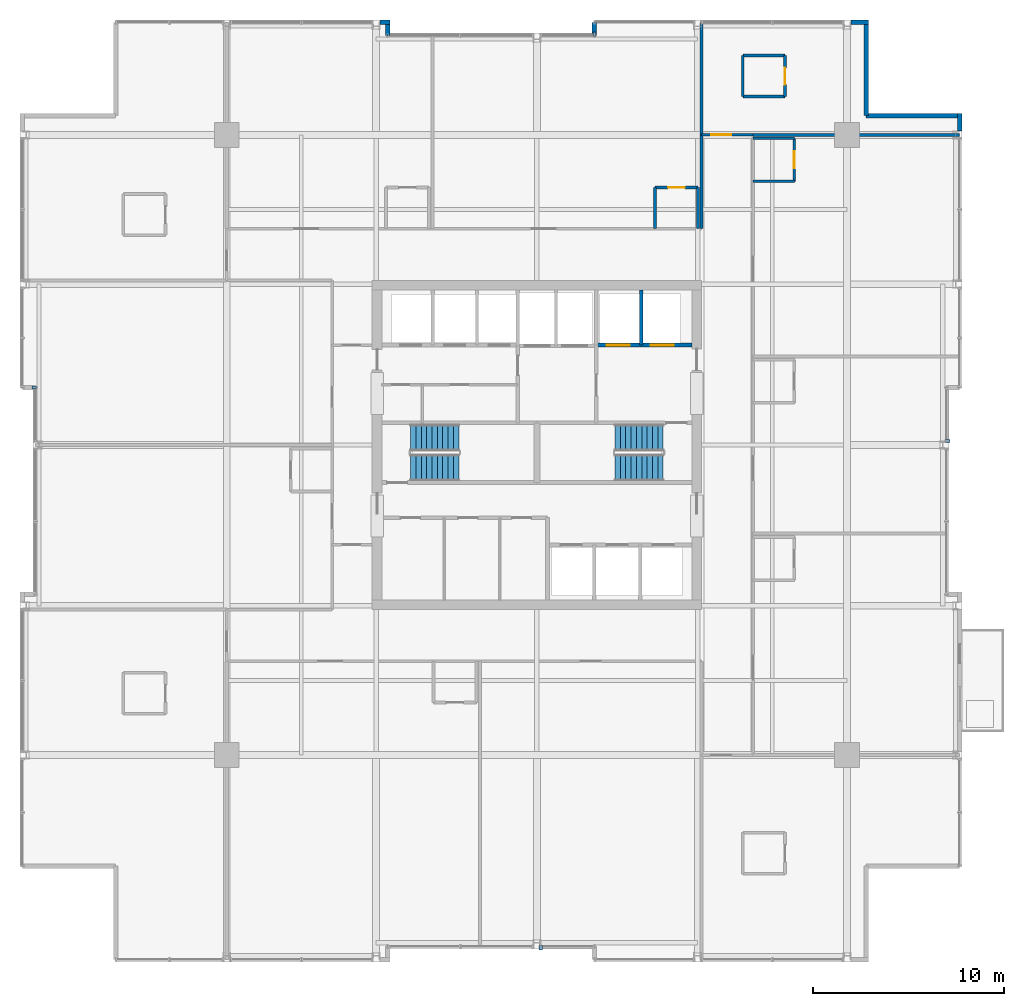
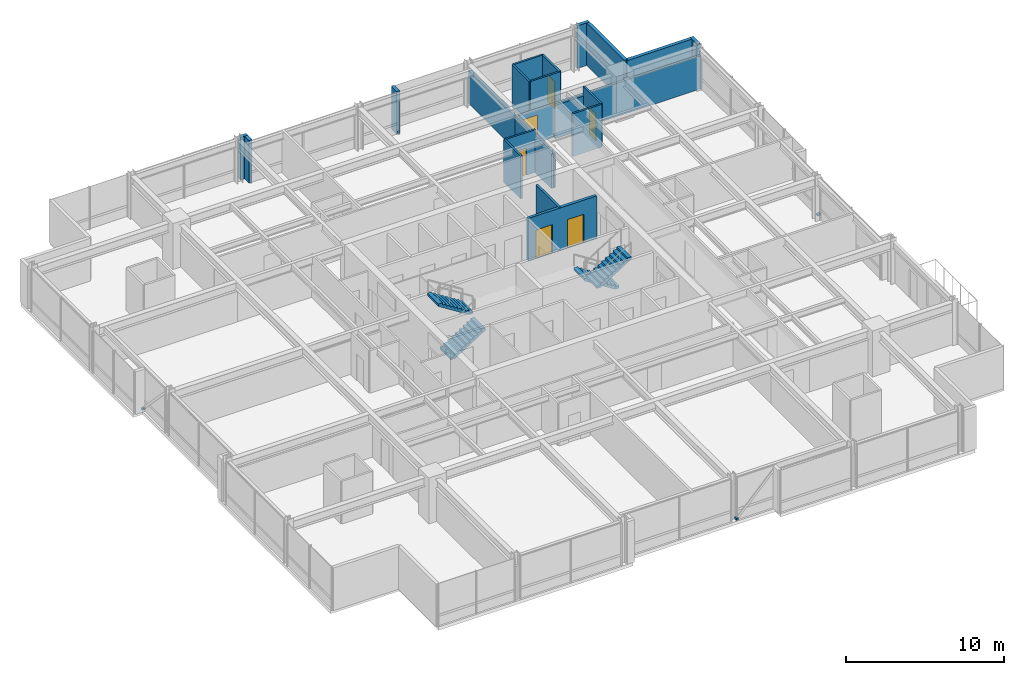
# One storey, part 30 of 33: 23 walls, 6 doors, 4 discrete accessories, 4 stair flights, 6 openings, 2 elements without a shape of their own.
"""IFC4 building model written with IfcOpenShell, lengths in metres."""

from ifc_helpers import new_model, si_unit, direction, frame, frame_2d, origin, origin_2d, place, context, subcontext, project, spatial, polyline, rectangle, outline, extrude, material, layer, layer_set, type_object, element, fill, aggregate, save


model = new_model("IFC4")

# Units and contexts
model_context = context("Model", 3, precision=1e-05, world=origin(), true_north=direction((0.0, 1.0)))
body_context = subcontext(model_context, "Body", "Model", "MODEL_VIEW")
ifc_project = project(units=[si_unit("LENGTHUNIT", "METRE"), si_unit("AREAUNIT", "SQUARE_METRE"), si_unit("VOLUMEUNIT", "CUBIC_METRE"), si_unit("PLANEANGLEUNIT", "RADIAN"), si_unit("MASSUNIT", "GRAM", prefix="KILO")], contexts=[model_context])

# Site, building, storey
site_placement = place(None, origin())
site = spatial("IfcSite", under=ifc_project, at=site_placement, CompositionType="ELEMENT")
building_placement = place(site_placement, origin())
building = spatial("IfcBuilding", under=site, at=building_placement, Name="Drelvath Grand Hotel", CompositionType="ELEMENT")
storey_placement = place(building_placement, frame((0.0, 0.0, 168.14990234375)))
storey = spatial("IfcBuildingStorey", under=building, at=storey_placement, Name="L43", CompositionType="ELEMENT", Elevation=168.14990234375)

# Wall, openings, doors
ifc_material_1 = material(Name="Concrete C40/50", Category="concrete")
ifc_layer_1 = layer(ifc_material_1, 0.199951171875)
ifc_layer_set_1 = layer_set([ifc_layer_1], Name="Concrete C40/50")
wall_type_1 = type_object("IfcWallType", Name="Core Hoistway Fire Wall 200", PredefinedType="SOLIDWALL", material=ifc_layer_set_1)
wall_1_placement = place(storey_placement, frame((3.10009765625, 32.219970703125, 0.0), z_axis=(0.0, 0.0, 1.0), x_axis=(1.0, 0.0, 0.0)))
wall_1 = element("IfcWall", 1, at=wall_1_placement, inside=storey, type_object=wall_type_1, Name="L43 FSAE Hoistway Front Wall", PredefinedType="SOLIDWALL", context=body_context, shape_type="SweptSolid", body=[
    extrude(rectangle(XDim=5.0, YDim=0.199951171875, at=frame_2d((2.5, 0.0))), origin(), (0.0, 0.0, 1.0), 3.2900390625),
])
opening_1_placement = place(wall_1_placement, frame((0.550048828125, 0.0, 0.0)))
opening_1 = element("IfcOpeningElement", 2, at=opening_1_placement, cuts=wall_1, Name="Opening LD-FSAE-1", PredefinedType="OPENING", context=body_context, shape_type="SweptSolid", body=[
    extrude(rectangle(XDim=1.199951171875, YDim=2.199951171875, at=frame_2d((0.60009765625, 1.10009765625))), frame((0.0, 0.10986328125, 0.0), z_axis=(0.0, -1.0, 0.0), x_axis=(1.0, 0.0, 0.0)), (0.0, 0.0, 1.0), 0.219970703125),
])
opening_2_placement = place(wall_1_placement, frame((2.85009765625, 0.0, 0.0)))
opening_2 = element("IfcOpeningElement", 3, at=opening_2_placement, cuts=wall_1, Name="Opening LD-FSAE-2", PredefinedType="OPENING", context=body_context, shape_type="SweptSolid", body=[
    extrude(rectangle(XDim=1.199951171875, YDim=2.199951171875, at=frame_2d((0.60009765625, 1.10009765625))), frame((0.0, 0.10986328125, 0.0), z_axis=(0.0, -1.0, 0.0), x_axis=(1.0, 0.0, 0.0)), (0.0, 0.0, 1.0), 0.219970703125),
])
ifc_material_2 = material(Name="Stainless Steel S355", Category="steel")
door_type_1 = type_object("IfcDoorType", Name="FSAE Lift Sliding Landing Door 1200x2200", OperationType="NOTDEFINED", PredefinedType="DOOR", material=ifc_material_2)
door_1_placement = place(opening_1_placement, origin())
door_1 = element("IfcDoor", 4, at=door_1_placement, inside=storey, type_object=door_type_1, Name="L43 Lift FSAE-1 Landing Door", OperationType="SLIDING_TO_LEFT", OverallHeight=2.199951171875, OverallWidth=1.199951171875, PredefinedType="DOOR", context=body_context, shape_type="SweptSolid", body=[
    extrude(rectangle(XDim=1.199951171875, YDim=2.199951171875, at=frame_2d((0.60009765625, 1.10009765625))), frame((0.0, 0.02490234375, 0.0), z_axis=(0.0, -1.0, 0.0), x_axis=(1.0, 0.0, 0.0)), (0.0, 0.0, 1.0), 0.050048828125),
])
fill(opening_1, door_1)
door_2_placement = place(opening_2_placement, origin())
door_2 = element("IfcDoor", 5, at=door_2_placement, inside=storey, type_object=door_type_1, Name="L43 Lift FSAE-2 Landing Door", OperationType="SLIDING_TO_LEFT", OverallHeight=2.199951171875, OverallWidth=1.199951171875, PredefinedType="DOOR", context=body_context, shape_type="SweptSolid", body=[
    extrude(rectangle(XDim=1.199951171875, YDim=2.199951171875, at=frame_2d((0.60009765625, 1.10009765625))), frame((0.0, 0.02490234375, 0.0), z_axis=(0.0, -1.0, 0.0), x_axis=(1.0, 0.0, 0.0)), (0.0, 0.0, 1.0), 0.050048828125),
])
fill(opening_2, door_2)

# Walls
ifc_material_3 = material(Name="Gypsum Fireboard Partition")
ifc_layer_2 = layer(ifc_material_3, 0.1650390625)
ifc_layer_set_2 = layer_set([ifc_layer_2], Name="Gypsum Fireboard Partition")
wall_type_2 = type_object("IfcWallType", Name="Core Shaft Partition 165", PredefinedType="PARTITIONING", material=ifc_layer_set_2)
wall_2_placement = place(storey_placement, frame((5.449951171875, 32.219970703125, 0.0), z_axis=(0.0, 0.0, 1.0), x_axis=(0.0, 1.0, 0.0)))
element("IfcWall", 6, at=wall_2_placement, inside=storey, type_object=wall_type_2, Name="L43 FSAE Hoistway Divider", PredefinedType="PARTITIONING", context=body_context, shape_type="SweptSolid", body=[
    extrude(rectangle(XDim=2.880126953125, YDim=0.1650390625, at=frame_2d((1.43994140625, 0.0))), origin(), (0.0, 0.0, 1.0), 3.2900390625),
])
ifc_layer_3 = layer(ifc_material_3, 0.135009765625)
ifc_layer_set_3 = layer_set([ifc_layer_3], Name="Gypsum Fireboard Partition")
wall_type_3 = type_object("IfcWallType", Name="Corridor Fire Barrier Wall 135", PredefinedType="PARTITIONING", material=ifc_layer_set_3)
wall_3_placement = place(storey_placement, frame((8.60009765625, 38.300048828125, 0.0), z_axis=(0.0, 0.0, 1.0), x_axis=(0.0, 1.0, 0.0)))
element("IfcWall", 7, at=wall_3_placement, inside=storey, type_object=wall_type_3, Name="L43 East Spine North Inner Wall", PredefinedType="PARTITIONING", context=body_context, shape_type="SweptSolid", body=[
    extrude(rectangle(XDim=4.89990234375, YDim=0.135009765625, at=frame_2d((2.449951171875, 0.0))), origin(), (0.0, 0.0, 1.0), 2.66748046875),
])

# Wall, opening, door
wall_4_placement = place(storey_placement, frame((8.60009765625, 43.199951171875, 0.0), z_axis=(0.0, 0.0, 1.0), x_axis=(1.0, 0.0, 0.0)))
wall_4 = element("IfcWall", 8, at=wall_4_placement, inside=storey, type_object=wall_type_3, Name="L43 East Spine North End", PredefinedType="PARTITIONING", context=body_context, shape_type="SweptSolid", body=[
    extrude(rectangle(XDim=2.699951171875, YDim=0.135009765625, at=frame_2d((1.35009765625, 0.0))), origin(), (0.0, 0.0, 1.0), 2.57958984375),
])
opening_3_placement = place(wall_4_placement, frame((0.52001953125, 0.0, 0.0)))
opening_3 = element("IfcOpeningElement", 9, at=opening_3_placement, cuts=wall_4, Name="Opening D-T3G2-033", PredefinedType="OPENING", context=body_context, shape_type="SweptSolid", body=[
    extrude(rectangle(XDim=1.02001953125, YDim=2.14990234375, at=frame_2d((0.510009765625, 1.074951171875))), frame((0.0, 0.077392578125, 0.0), z_axis=(0.0, -1.0, 0.0), x_axis=(1.0, 0.0, 0.0)), (0.0, 0.0, 1.0), 0.155029296875),
])
ifc_material_4 = material(Name="Hardwood Walnut Timber", Category="wood")
door_type_2 = type_object("IfcDoorType", Name="Amenity Meeting Fire Door 1020x2150", OperationType="NOTDEFINED", PredefinedType="DOOR", material=ifc_material_4)
door_3_placement = place(opening_3_placement, origin())
door_3 = element("IfcDoor", 10, at=door_3_placement, inside=storey, type_object=door_type_2, Name="L43 Executive Suite Entry Door", OperationType="SINGLE_SWING_LEFT", OverallHeight=2.14990234375, OverallWidth=1.02001953125, PredefinedType="DOOR", context=body_context, shape_type="SweptSolid", body=[
    extrude(rectangle(XDim=1.02001953125, YDim=2.14990234375, at=frame_2d((0.510009765625, 1.074951171875))), frame((0.0, 0.02490234375, 0.0), z_axis=(0.0, -1.0, 0.0), x_axis=(1.0, 0.0, 0.0)), (0.0, 0.0, 1.0), 0.050048828125),
])
fill(opening_3, door_3)

# Walls
ifc_material_5 = material(Name="Moisture-Resistant Gypsum Board")
ifc_layer_4 = layer(ifc_material_5, 0.139892578125)
ifc_layer_set_4 = layer_set([ifc_layer_4], Name="Moisture-Resistant Gypsum Board")
wall_type_4 = type_object("IfcWallType", Name="En-Suite Plumbing Wall 140", PredefinedType="PLUMBINGWALL", material=ifc_layer_set_4)
for number, where, z_axis, x_axis, name in (
    (11, (10.760009765625, 45.199951171875, 0.0), (0.0, 0.0, 1.0), (1.0, 0.0, 0.0), "L43 Corner En-Suite South"),
    (12, (10.760009765625, 47.35009765625, 0.0), (0.0, 0.0, 1.0), (1.0, 0.0, 0.0), "L43 Corner En-Suite North"),
):
    element("IfcWall", number, at=place(storey_placement, frame(where, z_axis=z_axis, x_axis=x_axis)), inside=storey, type_object=wall_type_4, Name=name, PredefinedType="PLUMBINGWALL", context=body_context, shape_type="SweptSolid", body=[
        extrude(rectangle(XDim=2.199951171875, YDim=0.139892578125, at=frame_2d((1.10009765625, 0.0))), origin(), (0.0, 0.0, 1.0), 3.2900390625),
    ])
wall_5_placement = place(storey_placement, frame((10.760009765625, 45.199951171875, 0.0), z_axis=(0.0, 0.0, 1.0), x_axis=(0.0, 1.0, 0.0)))
element("IfcWall", 13, at=wall_5_placement, inside=storey, type_object=wall_type_4, Name="L43 Corner En-Suite West", PredefinedType="PLUMBINGWALL", context=body_context, shape_type="SweptSolid", body=[
    extrude(rectangle(XDim=2.150146484375, YDim=0.139892578125, at=frame_2d((1.0751953125, 0.0))), origin(), (0.0, 0.0, 1.0), 3.2900390625),
])

# Wall, opening, door
wall_6_placement = place(storey_placement, frame((12.9599609375, 45.199951171875, 0.0), z_axis=(0.0, 0.0, 1.0), x_axis=(0.0, 1.0, 0.0)))
wall_6 = element("IfcWall", 14, at=wall_6_placement, inside=storey, type_object=wall_type_4, Name="L43 Corner En-Suite East", PredefinedType="PLUMBINGWALL", context=body_context, shape_type="SweptSolid", body=[
    extrude(rectangle(XDim=2.150146484375, YDim=0.139892578125, at=frame_2d((1.0751953125, 0.0))), origin(), (0.0, 0.0, 1.0), 3.2900390625),
])
opening_4_placement = place(wall_6_placement, frame((0.6201171875, 0.0, 0.0)))
opening_4 = element("IfcOpeningElement", 15, at=opening_4_placement, cuts=wall_6, Name="Opening D-T3G2-032", PredefinedType="OPENING", context=body_context, shape_type="SweptSolid", body=[
    extrude(rectangle(XDim=0.8798828125, YDim=2.10009765625, at=frame_2d((0.43994140625, 1.050048828125))), frame((0.0, 0.079833984375, 0.0), z_axis=(0.0, -1.0, 0.0), x_axis=(1.0, 0.0, 0.0)), (0.0, 0.0, 1.0), 0.159912109375),
])
door_type_3 = type_object("IfcDoorType", Name="En-Suite Bathroom Door 880x2100", OperationType="NOTDEFINED", PredefinedType="DOOR", material=ifc_material_4)
door_4_placement = place(opening_4_placement, origin())
door_4 = element("IfcDoor", 16, at=door_4_placement, inside=storey, type_object=door_type_3, Name="L43 Corner En-Suite Door", OperationType="SINGLE_SWING_RIGHT", OverallHeight=2.10009765625, OverallWidth=0.8798828125, PredefinedType="DOOR", context=body_context, shape_type="SweptSolid", body=[
    extrude(rectangle(XDim=0.8798828125, YDim=2.10009765625, at=frame_2d((0.43994140625, 1.050048828125))), frame((0.0, 0.02490234375, 0.0), z_axis=(0.0, -1.0, 0.0), x_axis=(1.0, 0.0, 0.0)), (0.0, 0.0, 1.0), 0.050048828125),
])
fill(opening_4, door_4)

# Walls
wall_7_placement = place(storey_placement, frame((6.169921875, 38.300048828125, 0.0), z_axis=(0.0, 0.0, 1.0), x_axis=(0.0, 1.0, 0.0)))
element("IfcWall", 17, at=wall_7_placement, inside=storey, type_object=wall_type_4, Name="L43 En-Suite Left Wall", PredefinedType="PLUMBINGWALL", context=body_context, shape_type="SweptSolid", body=[
    extrude(rectangle(XDim=2.14990234375, YDim=0.139892578125, at=frame_2d((1.074951171875, 0.0))), origin(), (0.0, 0.0, 1.0), 3.2900390625),
])
wall_8_placement = place(storey_placement, frame((8.419921875, 38.300048828125, 0.0), z_axis=(0.0, 0.0, 1.0), x_axis=(0.0, 1.0, 0.0)))
element("IfcWall", 18, at=wall_8_placement, inside=storey, type_object=wall_type_4, Name="L43 En-Suite Right Wall", PredefinedType="PLUMBINGWALL", context=body_context, shape_type="SweptSolid", body=[
    extrude(rectangle(XDim=2.14990234375, YDim=0.139892578125, at=frame_2d((1.074951171875, 0.0))), origin(), (0.0, 0.0, 1.0), 2.66748046875),
])

# Wall, opening, door
wall_9_placement = place(storey_placement, frame((6.169921875, 40.449951171875, 0.0), z_axis=(0.0, 0.0, 1.0), x_axis=(1.0, 0.0, 0.0)))
wall_9 = element("IfcWall", 19, at=wall_9_placement, inside=storey, type_object=wall_type_4, Name="L43 En-Suite Front Wall", PredefinedType="PLUMBINGWALL", context=body_context, shape_type="SweptSolid", body=[
    extrude(rectangle(XDim=2.25, YDim=0.139892578125, at=frame_2d((1.125, 0.0))), origin(), (0.0, 0.0, 1.0), 3.2900390625),
])
opening_5_placement = place(wall_9_placement, frame((0.68505859375, 0.0, 0.0)))
opening_5 = element("IfcOpeningElement", 20, at=opening_5_placement, cuts=wall_9, Name="Opening D-T3G2-039", PredefinedType="OPENING", context=body_context, shape_type="SweptSolid", body=[
    extrude(rectangle(XDim=0.8798828125, YDim=2.10009765625, at=frame_2d((0.43994140625, 1.050048828125))), frame((0.0, 0.079833984375, 0.0), z_axis=(0.0, -1.0, 0.0), x_axis=(1.0, 0.0, 0.0)), (0.0, 0.0, 1.0), 0.159912109375),
])
door_5_placement = place(opening_5_placement, origin())
door_5 = element("IfcDoor", 21, at=door_5_placement, inside=storey, type_object=door_type_3, Name="L43 En-Suite Bathroom Door", OperationType="SINGLE_SWING_LEFT", OverallHeight=2.10009765625, OverallWidth=0.8798828125, PredefinedType="DOOR", context=body_context, shape_type="SweptSolid", body=[
    extrude(rectangle(XDim=0.8798828125, YDim=2.10009765625, at=frame_2d((0.43994140625, 1.050048828125))), frame((0.0, 0.02490234375, 0.0), z_axis=(0.0, -1.0, 0.0), x_axis=(1.0, 0.0, 0.0)), (0.0, 0.0, 1.0), 0.050048828125),
])
fill(opening_5, door_5)

# Walls
wall_10_placement = place(storey_placement, frame((11.300048828125, 40.77001953125, 0.0), z_axis=(0.0, 0.0, 1.0), x_axis=(1.0, 0.0, 0.0)))
element("IfcWall", 22, at=wall_10_placement, inside=storey, type_object=wall_type_4, Name="L43 En-Suite Left Wall", PredefinedType="PLUMBINGWALL", context=body_context, shape_type="SweptSolid", body=[
    extrude(rectangle(XDim=2.14990234375, YDim=0.139892578125, at=frame_2d((1.074951171875, 0.0))), origin(), (0.0, 0.0, 1.0), 3.2900390625),
])
wall_11_placement = place(storey_placement, frame((11.300048828125, 43.02001953125, 0.0), z_axis=(0.0, 0.0, 1.0), x_axis=(1.0, 0.0, 0.0)))
element("IfcWall", 23, at=wall_11_placement, inside=storey, type_object=wall_type_4, Name="L43 En-Suite Right Wall", PredefinedType="PLUMBINGWALL", context=body_context, shape_type="SweptSolid", body=[
    extrude(rectangle(XDim=2.14990234375, YDim=0.139892578125, at=frame_2d((1.074951171875, 0.0))), origin(), (0.0, 0.0, 1.0), 2.57958984375),
])

# Wall, opening, door
wall_12_placement = place(storey_placement, frame((13.449951171875, 40.77001953125, 0.0), z_axis=(0.0, 0.0, 1.0), x_axis=(0.0, 1.0, 0.0)))
wall_12 = element("IfcWall", 24, at=wall_12_placement, inside=storey, type_object=wall_type_4, Name="L43 En-Suite Front Wall", PredefinedType="PLUMBINGWALL", context=body_context, shape_type="SweptSolid", body=[
    extrude(rectangle(XDim=2.25, YDim=0.139892578125, at=frame_2d((1.125, 0.0))), origin(), (0.0, 0.0, 1.0), 3.2900390625),
])
opening_6_placement = place(wall_12_placement, frame((0.68505859375, 0.0, 0.0)))
opening_6 = element("IfcOpeningElement", 25, at=opening_6_placement, cuts=wall_12, Name="Opening D-T3G2-045", PredefinedType="OPENING", context=body_context, shape_type="SweptSolid", body=[
    extrude(rectangle(XDim=0.8798828125, YDim=2.10009765625, at=frame_2d((0.43994140625, 1.050048828125))), frame((0.0, 0.079833984375, 0.0), z_axis=(0.0, -1.0, 0.0), x_axis=(1.0, 0.0, 0.0)), (0.0, 0.0, 1.0), 0.159912109375),
])
door_6_placement = place(opening_6_placement, origin())
door_6 = element("IfcDoor", 26, at=door_6_placement, inside=storey, type_object=door_type_3, Name="L43 En-Suite Bathroom Door", OperationType="SINGLE_SWING_LEFT", OverallHeight=2.10009765625, OverallWidth=0.8798828125, PredefinedType="DOOR", context=body_context, shape_type="SweptSolid", body=[
    extrude(rectangle(XDim=0.8798828125, YDim=2.10009765625, at=frame_2d((0.43994140625, 1.050048828125))), frame((0.0, 0.02490234375, 0.0), z_axis=(0.0, -1.0, 0.0), x_axis=(1.0, 0.0, 0.0)), (0.0, 0.0, 1.0), 0.050048828125),
])
fill(opening_6, door_6)

# Walls
ifc_material_6 = material(Name="Gypsum Acoustic Partition")
ifc_layer_5 = layer(ifc_material_6, 0.1650390625)
ifc_layer_set_5 = layer_set([ifc_layer_5], Name="Gypsum Acoustic Partition")
wall_type_5 = type_object("IfcWallType", Name="Suite Demising Wall 165", PredefinedType="PARTITIONING", material=ifc_layer_set_5)
wall_13_placement = place(storey_placement, frame((8.60009765625, 43.199951171875, 0.0), z_axis=(0.0, 0.0, 1.0), x_axis=(0.0, 1.0, 0.0)))
element("IfcWall", 27, at=wall_13_placement, inside=storey, type_object=wall_type_5, Name="L43 NE Suite West Wall", PredefinedType="PARTITIONING", context=body_context, shape_type="SweptSolid", body=[
    extrude(rectangle(XDim=5.880126953125, YDim=0.1650390625, at=frame_2d((2.93994140625, 0.0))), origin(), (0.0, 0.0, 1.0), 2.57958984375),
])
wall_14_placement = place(storey_placement, frame((11.300048828125, 43.199951171875, 0.0), z_axis=(0.0, 0.0, 1.0), x_axis=(1.0, 0.0, 0.0)))
element("IfcWall", 28, at=wall_14_placement, inside=storey, type_object=wall_type_5, Name="L43 NE Suite South Wall", PredefinedType="PARTITIONING", context=body_context, shape_type="SweptSolid", body=[
    extrude(rectangle(XDim=10.780029296875, YDim=0.1650390625, at=frame_2d((5.39013671875, 0.0))), origin(), (0.0, 0.0, 1.0), 2.57958984375),
])
ifc_material_7 = material(Name="Pale-Metal Insulated Aluminium Spandrel Assembly", Category="aluminium")
ifc_layer_6 = layer(ifc_material_7, 0.239990234375)
ifc_layer_set_6 = layer_set([ifc_layer_6], Name="Pale-Metal Insulated Aluminium Spandrel Assembly")
wall_type_6 = type_object("IfcWallType", Name="Tower Insulated Metal Spandrel Closure Wall 240", PredefinedType="STANDARD", material=ifc_layer_set_6)
wall_15_placement = place(storey_placement, frame((22.080078125, 44.320068359375, 0.0), z_axis=(0.0, 0.0, 1.0), x_axis=(0.0, -1.0, 0.0)))
element("IfcWall", 29, at=wall_15_placement, inside=storey, type_object=wall_type_6, Name="L43 Corner Pier Spandrel Wall EN3", PredefinedType="STANDARD", context=body_context, shape_type="SweptSolid", body=[
    extrude(rectangle(XDim=0.919921875, YDim=0.239990234375, at=frame_2d((0.4599609375, 0.0))), origin(), (0.0, 0.0, 1.0), 3.2900390625),
])
wall_16_placement = place(storey_placement, frame((-8.199951171875, 49.080078125, 0.0), z_axis=(0.0, 0.0, 1.0), x_axis=(1.0, 0.0, 0.0)))
element("IfcWall", 30, at=wall_16_placement, inside=storey, type_object=wall_type_6, Name="L43 Corner Pier Spandrel Wall NW3", PredefinedType="STANDARD", context=body_context, shape_type="SweptSolid", body=[
    extrude(rectangle(XDim=0.52001953125, YDim=0.239990234375, at=frame_2d((0.260009765625, 0.0))), origin(), (0.0, 0.0, 1.0), 3.2900390625),
])
wall_17_placement = place(storey_placement, frame((16.400146484375, 49.080078125, 0.0), z_axis=(0.0, 0.0, 1.0), x_axis=(1.0, 0.0, 0.0)))
element("IfcWall", 31, at=wall_17_placement, inside=storey, type_object=wall_type_6, Name="L43 Corner Pier Spandrel Wall NE3", PredefinedType="STANDARD", context=body_context, shape_type="SweptSolid", body=[
    extrude(rectangle(XDim=0.919921875, YDim=0.239990234375, at=frame_2d((0.4599609375, 0.0))), origin(), (0.0, 0.0, 1.0), 3.2900390625),
])
for number, where, z_axis, x_axis, name in (
    (32, (17.199951171875, 48.9599609375, 0.0), (0.0, 0.0, 1.0), (0.0, -1.0, 0.0), "L43 Notched Corner Return Spandrel Wall CNE1"),
    (33, (17.199951171875, 44.199951171875, 0.0), (0.0, 0.0, 1.0), (1.0, 0.0, 0.0), "L43 Notched Corner Return Spandrel Wall CNE2"),
):
    element("IfcWall", number, at=place(storey_placement, frame(where, z_axis=z_axis, x_axis=x_axis)), inside=storey, type_object=wall_type_6, Name=name, PredefinedType="STANDARD", context=body_context, shape_type="SweptSolid", body=[
        extrude(rectangle(XDim=4.760009765625, YDim=0.239990234375, at=frame_2d((2.3798828125, 0.0))), origin(), (0.0, 0.0, 1.0), 3.2900390625),
    ])
wall_18_placement = place(storey_placement, frame((-7.800048828125, 48.9599609375, 0.0), z_axis=(0.0, 0.0, 1.0), x_axis=(0.0, -1.0, 0.0)))
element("IfcWall", 34, at=wall_18_placement, inside=storey, type_object=wall_type_6, Name="L43 Notched Corner Return Spandrel Wall RN1", PredefinedType="STANDARD", context=body_context, shape_type="SweptSolid", body=[
    extrude(rectangle(XDim=0.56005859375, YDim=0.239990234375, at=frame_2d((0.280029296875, 0.0))), origin(), (0.0, 0.0, 1.0), 3.2900390625),
])
wall_19_placement = place(storey_placement, frame((3.0, 48.39990234375, 0.0), z_axis=(0.0, 0.0, 1.0), x_axis=(0.0, 1.0, 0.0)))
element("IfcWall", 35, at=wall_19_placement, inside=storey, type_object=wall_type_6, Name="L43 Notched Corner Return Spandrel Wall RN2", PredefinedType="STANDARD", context=body_context, shape_type="SweptSolid", body=[
    extrude(rectangle(XDim=0.68017578125, YDim=0.239990234375, at=frame_2d((0.340087890625, 0.0))), origin(), (0.0, 0.0, 1.0), 3.2900390625),
])

# Stair, stair flights
stair_type = type_object("IfcStairType", Name="Dogleg Exit Stair W1400-R177.5", PredefinedType="HALF_TURN_STAIR", material=ifc_material_1)
stair_1_placement = place(storey_placement, origin())
stair_1 = element("IfcStair", 36, at=stair_1_placement, inside=storey, type_object=stair_type, Name="L43 Core Exit Stair ST-1", PredefinedType="HALF_TURN_STAIR")
stair_flight_type = type_object("IfcStairFlightType", Name="Concrete Stair Flight W1400-R177.5", PredefinedType="STRAIGHT", material=ifc_material_1)
stair_flight_1_placement = place(storey_placement, frame((-6.60009765625, 25.820068359375, 0.0), z_axis=(0.0, 0.0, 1.0), x_axis=(1.0, 0.0, 0.0)))
stair_flight_1 = element("IfcStairFlight", 37, at=stair_flight_1_placement, type_object=stair_flight_type, Name="ST-1 flight 1", NumberOfRisers=10, NumberOfTreads=9, PredefinedType="STRAIGHT", RiserHeight=0.1775, TreadLength=0.28, context=body_context, shape_type="SweptSolid", body=[
    extrude(outline(polyline([(0.0, 0.0), (0.0, 0.177490234375), (0.280029296875, 0.177490234375), (0.280029296875, 0.35498046875), (0.56005859375, 0.35498046875), (0.56005859375, 0.532470703125), (0.840087890625, 0.532470703125), (0.840087890625, 0.7099609375), (1.1201171875, 0.7099609375), (1.1201171875, 0.887451171875), (1.39990234375, 0.887451171875), (1.39990234375, 1.06494140625), (1.679931640625, 1.06494140625), (1.679931640625, 1.242431640625), (1.9599609375, 1.242431640625), (1.9599609375, 1.419921875), (2.239990234375, 1.419921875), (2.239990234375, 1.597412109375), (2.52001953125, 1.597412109375), (2.52001953125, 1.77490234375), (2.52001953125, 1.408203125), (0.298583984375, 0.0), (0.0, 0.0)])), frame((0.0, 0.699951171875, 0.0), z_axis=(0.0, -1.0, 0.0), x_axis=(1.0, 0.0, 0.0)), (0.0, 0.0, 1.0), 1.39990234375),
])
stair_flight_2_placement = place(storey_placement, frame((-4.080078125, 27.3798828125, 1.775146484375), z_axis=(0.0, 0.0, 1.0), x_axis=(-1.0, 0.0, 0.0)))
stair_flight_2 = element("IfcStairFlight", 38, at=stair_flight_2_placement, type_object=stair_flight_type, Name="ST-1 flight 2", NumberOfRisers=10, NumberOfTreads=9, PredefinedType="STRAIGHT", RiserHeight=0.1775, TreadLength=0.28, context=body_context, shape_type="SweptSolid", body=[
    extrude(outline(polyline([(0.0, 0.0), (0.0, 0.177490234375), (0.280029296875, 0.177490234375), (0.280029296875, 0.35498046875), (0.56005859375, 0.35498046875), (0.56005859375, 0.532470703125), (0.840087890625, 0.532470703125), (0.840087890625, 0.7099609375), (1.1201171875, 0.7099609375), (1.1201171875, 0.887451171875), (1.39990234375, 0.887451171875), (1.39990234375, 1.06494140625), (1.679931640625, 1.06494140625), (1.679931640625, 1.242431640625), (1.9599609375, 1.242431640625), (1.9599609375, 1.419921875), (2.239990234375, 1.419921875), (2.239990234375, 1.597412109375), (2.52001953125, 1.597412109375), (2.52001953125, 1.77490234375), (2.52001953125, 1.408203125), (0.298583984375, 0.0), (0.0, 0.0)])), frame((0.0, 0.699951171875, 0.0), z_axis=(0.0, -1.0, 0.0), x_axis=(1.0, 0.0, 0.0)), (0.0, 0.0, 1.0), 1.39990234375),
])
aggregate(stair_1, [stair_flight_1, stair_flight_2])

stair_2_placement = place(storey_placement, origin())
stair_2 = element("IfcStair", 39, at=stair_2_placement, inside=storey, type_object=stair_type, Name="L43 Core Exit Stair ST-2", PredefinedType="HALF_TURN_STAIR")
stair_flight_3_placement = place(storey_placement, frame((6.60009765625, 27.3798828125, 0.0), z_axis=(0.0, 0.0, 1.0), x_axis=(-1.0, 0.0, 0.0)))
stair_flight_3 = element("IfcStairFlight", 40, at=stair_flight_3_placement, type_object=stair_flight_type, Name="ST-2 flight 1", NumberOfRisers=10, NumberOfTreads=9, PredefinedType="STRAIGHT", RiserHeight=0.1775, TreadLength=0.28, context=body_context, shape_type="SweptSolid", body=[
    extrude(outline(polyline([(0.0, 0.0), (0.0, 0.177490234375), (0.280029296875, 0.177490234375), (0.280029296875, 0.35498046875), (0.56005859375, 0.35498046875), (0.56005859375, 0.532470703125), (0.840087890625, 0.532470703125), (0.840087890625, 0.7099609375), (1.1201171875, 0.7099609375), (1.1201171875, 0.887451171875), (1.39990234375, 0.887451171875), (1.39990234375, 1.06494140625), (1.679931640625, 1.06494140625), (1.679931640625, 1.242431640625), (1.9599609375, 1.242431640625), (1.9599609375, 1.419921875), (2.239990234375, 1.419921875), (2.239990234375, 1.597412109375), (2.52001953125, 1.597412109375), (2.52001953125, 1.77490234375), (2.52001953125, 1.408203125), (0.298583984375, 0.0), (0.0, 0.0)])), frame((0.0, 0.699951171875, 0.0), z_axis=(0.0, -1.0, 0.0), x_axis=(1.0, 0.0, 0.0)), (0.0, 0.0, 1.0), 1.39990234375),
])
stair_flight_4_placement = place(storey_placement, frame((4.080078125, 25.820068359375, 1.775146484375), z_axis=(0.0, 0.0, 1.0), x_axis=(1.0, 0.0, 0.0)))
stair_flight_4 = element("IfcStairFlight", 41, at=stair_flight_4_placement, type_object=stair_flight_type, Name="ST-2 flight 2", NumberOfRisers=10, NumberOfTreads=9, PredefinedType="STRAIGHT", RiserHeight=0.1775, TreadLength=0.28, context=body_context, shape_type="SweptSolid", body=[
    extrude(outline(polyline([(0.0, 0.0), (0.0, 0.177490234375), (0.280029296875, 0.177490234375), (0.280029296875, 0.35498046875), (0.56005859375, 0.35498046875), (0.56005859375, 0.532470703125), (0.840087890625, 0.532470703125), (0.840087890625, 0.7099609375), (1.1201171875, 0.7099609375), (1.1201171875, 0.887451171875), (1.39990234375, 0.887451171875), (1.39990234375, 1.06494140625), (1.679931640625, 1.06494140625), (1.679931640625, 1.242431640625), (1.9599609375, 1.242431640625), (1.9599609375, 1.419921875), (2.239990234375, 1.419921875), (2.239990234375, 1.597412109375), (2.52001953125, 1.597412109375), (2.52001953125, 1.77490234375), (2.52001953125, 1.408203125), (0.298583984375, 0.0), (0.0, 0.0)])), frame((0.0, 0.699951171875, 0.0), z_axis=(0.0, -1.0, 0.0), x_axis=(1.0, 0.0, 0.0)), (0.0, 0.0, 1.0), 1.39990234375),
])
aggregate(stair_2, [stair_flight_3, stair_flight_4])

# Discrete accessories
ifc_material_8 = material(Name="Stainless Steel Grade 316", Category="steel")
discrete_accessory_type = type_object("IfcDiscreteAccessoryType", Name="Curtain Wall Fin Mounting Bracket Cleat", PredefinedType="BRACKET", material=ifc_material_8)
for number, where, z_axis, x_axis, name in (
    (42, (-26.260009765625, 30.0, 0.10009765625), (0.0, 0.0, 1.0), (0.0, 1.0, 0.0), "L43 Fin Mounting Bracket CW04-L43-WM2-1"),
    (43, (21.4599609375, 27.2001953125, 0.10009765625), (0.0, 0.0, 1.0), (0.0, -1.0, 0.0), "L43 Fin Mounting Bracket CW04-L43-EM2-1"),
    (44, (3.0, 48.4599609375, 0.10009765625), (0.0, 0.0, 1.0), (1.0, 0.0, 0.0), "L43 Fin Mounting Bracket CW04-L43-NM2-1"),
    (45, (0.2001953125, 0.739990234375, 0.10009765625), (0.0, 0.0, 1.0), (-1.0, 0.0, 0.0), "L43 Fin Mounting Bracket CW04-L43-SM2-1"),
):
    element("IfcDiscreteAccessory", number, at=place(storey_placement, frame(where, z_axis=z_axis, x_axis=x_axis)), inside=storey, type_object=discrete_accessory_type, Name=name, PredefinedType="BRACKET", context=body_context, shape_type="SweptSolid", body=[
        extrude(rectangle(XDim=0.159912109375, YDim=0.239990234375, at=origin_2d()), origin(), (0.0, 0.0, 1.0), 0.159912109375),
    ])

save(model, "model.ifc")
